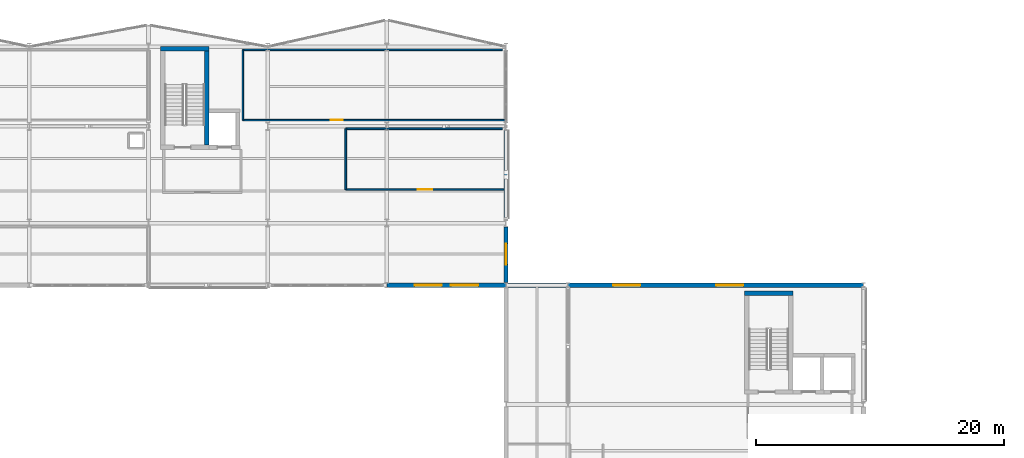
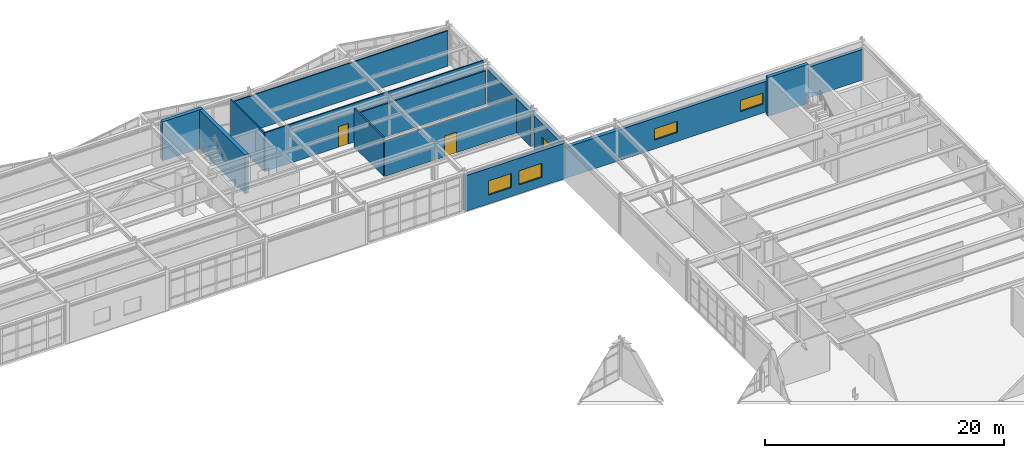
# One storey, part 87 of 99: 13 walls, 5 windows, 2 doors, 7 openings.
"""IFC4 building model written with IfcOpenShell, lengths in metres."""

from ifc_helpers import new_model, si_unit, direction, frame, frame_2d, origin, place, context, subcontext, project, spatial, rectangle, extrude, material, layer, layer_set, type_object, element, fill, save


model = new_model("IFC4")

# Units and contexts
model_context = context("Model", 3, precision=1e-05, world=origin(), true_north=direction((0.0, 1.0)))
body_context = subcontext(model_context, "Body", "Model", "MODEL_VIEW")
ifc_project = project(units=[si_unit("LENGTHUNIT", "METRE"), si_unit("AREAUNIT", "SQUARE_METRE"), si_unit("VOLUMEUNIT", "CUBIC_METRE"), si_unit("PLANEANGLEUNIT", "RADIAN"), si_unit("MASSUNIT", "GRAM", prefix="KILO")], contexts=[model_context])

# Site, building, storey
site_placement = place(None, origin())
site = spatial("IfcSite", under=ifc_project, at=site_placement, CompositionType="ELEMENT")
building_placement = place(site_placement, origin())
building = spatial("IfcBuilding", under=site, at=building_placement, Name="Nordkorset Police Headquarters", CompositionType="ELEMENT")
storey_placement = place(building_placement, frame((0.0, 0.0, 5.25)))
storey = spatial("IfcBuildingStorey", under=building, at=storey_placement, Name="L01", CompositionType="ELEMENT", Elevation=5.25)

# Wall, opening, door
ifc_material_1 = material(Name="Gypsum board", Category="gypsum")
ifc_layer_1 = layer(ifc_material_1, 0.139892578125, Name="Gypsum board")
ifc_layer_set_1 = layer_set([ifc_layer_1], Name="Gypsum board")
wall_type_1 = type_object("IfcWallType", Name="Wall_Acoust_140", PredefinedType="PARTITIONING", material=ifc_layer_set_1)
wall_1_placement = place(storey_placement, frame((73.5, 105.300048828125, 0.0), z_axis=(0.0, 0.0, 1.0), x_axis=(1.0, 0.0, 0.0)))
wall_1 = element("IfcWall", 1, at=wall_1_placement, inside=storey, type_object=wall_type_1, Name="Interior Partition Wall Case Review Conference Room L01", PredefinedType="PARTITIONING", context=body_context, shape_type="SweptSolid", body=[
    extrude(rectangle(XDim=12.72509765625, YDim=0.139892578125, at=frame_2d((6.362548828125, 0.0))), origin(), (0.0, 0.0, 1.0), 3.580078125),
])
opening_1_placement = place(wall_1_placement, frame((5.7724609375, 0.0, 0.0)))
opening_1 = element("IfcOpeningElement", 2, at=opening_1_placement, cuts=wall_1, Name="Opening DR-22", PredefinedType="OPENING", context=body_context, shape_type="SweptSolid", body=[
    extrude(rectangle(XDim=1.179931640625, YDim=2.10009765625, at=frame_2d((0.58984375, 1.050048828125))), frame((0.0, 0.080078125, 0.0), z_axis=(0.0, -1.0, 0.0), x_axis=(1.0, 0.0, 0.0)), (0.0, 0.0, 1.0), 0.159912109375),
])
ifc_material_2 = material(Name="Glulam GL30c", Category="wood")
door_type_1 = type_object("IfcDoorType", Name="Door_Meeting_1180x2100", OperationType="NOTDEFINED", PredefinedType="DOOR", material=ifc_material_2)
door_1_placement = place(opening_1_placement, frame((1.179931640625, 0.0, 0.0), z_axis=(0.0, 0.0, 1.0), x_axis=(-1.0, 0.0, 0.0)))
door_1 = element("IfcDoor", 3, at=door_1_placement, inside=storey, type_object=door_type_1, Name="Interior Door Case Review Conference Room L01", OperationType="SINGLE_SWING_LEFT", OverallHeight=2.10009765625, OverallWidth=1.179931640625, PredefinedType="DOOR", context=body_context, shape_type="SweptSolid", body=[
    extrude(rectangle(XDim=1.179931640625, YDim=2.10009765625, at=frame_2d((0.58984375, 1.050048828125))), frame((0.0, 0.02490234375, 0.0), z_axis=(0.0, -1.0, 0.0), x_axis=(1.0, 0.0, 0.0)), (0.0, 0.0, 1.0), 0.050048828125),
])
fill(opening_1, door_1)

# Walls
wall_2_placement = place(storey_placement, frame((86.10009765625, 110.199951171875, 0.0), z_axis=(0.0, 0.0, 1.0), x_axis=(-1.0, 0.0, 0.0)))
element("IfcWall", 4, at=wall_2_placement, inside=storey, type_object=wall_type_1, Name="Interior Partition Wall Case Review Conference Room L01", PredefinedType="PARTITIONING", context=body_context, shape_type="SweptSolid", body=[
    extrude(rectangle(XDim=12.60009765625, YDim=0.139892578125, at=frame_2d((6.300048828125, 0.0))), origin(), (0.0, 0.0, 1.0), 3.39990234375),
])
wall_3_placement = place(storey_placement, frame((73.5, 110.199951171875, 0.0), z_axis=(0.0, 0.0, 1.0), x_axis=(0.0, -1.0, 0.0)))
element("IfcWall", 5, at=wall_3_placement, inside=storey, type_object=wall_type_1, Name="Interior Partition Wall Case Review Conference Room L01", PredefinedType="PARTITIONING", context=body_context, shape_type="SweptSolid", body=[
    extrude(rectangle(XDim=4.89990234375, YDim=0.139892578125, at=frame_2d((2.449951171875, 0.0))), origin(), (0.0, 0.0, 1.0), 3.9599609375),
])
ifc_material_3 = material(Name="Concrete C35/45", Category="concrete")
ifc_layer_2 = layer(ifc_material_3, 0.35009765625, Name="Concrete C35/45")
ifc_layer_set_2 = layer_set([ifc_layer_2], Name="Concrete C35/45")
wall_type_2 = type_object("IfcWallType", Name="Wall_CoreShear_350", PredefinedType="SHEAR", material=ifc_layer_set_2)
wall_4_placement = place(storey_placement, frame((58.574951171875, 116.64990234375, 0.0), z_axis=(0.0, 0.0, 1.0), x_axis=(1.0, 0.0, 0.0)))
element("IfcWall", 6, at=wall_4_placement, inside=storey, type_object=wall_type_2, Name="Core K2 Stair Shaft North Shear Wall L01", PredefinedType="SHEAR", context=body_context, shape_type="SweptSolid", body=[
    extrude(rectangle(XDim=3.900146484375, YDim=0.35009765625, at=frame_2d((1.9501953125, 0.0))), origin(), (0.0, 0.0, 1.0), 3.9599609375),
])
wall_5_placement = place(storey_placement, frame((62.300048828125, 108.875, 0.0), z_axis=(0.0, 0.0, 1.0), x_axis=(0.0, 1.0, 0.0)))
element("IfcWall", 7, at=wall_5_placement, inside=storey, type_object=wall_type_2, Name="Core K2 Stair Shaft East Shear Wall L01", PredefinedType="SHEAR", context=body_context, shape_type="SweptSolid", body=[
    extrude(rectangle(XDim=7.60009765625, YDim=0.35009765625, at=frame_2d((3.800048828125, 0.0))), origin(), (0.0, 0.0, 1.0), 3.9599609375),
])
wall_6_placement = place(storey_placement, frame((105.625, 96.949951171875, 0.0), z_axis=(0.0, 0.0, 1.0), x_axis=(1.0, 0.0, 0.0)))
element("IfcWall", 8, at=wall_6_placement, inside=storey, type_object=wall_type_2, Name="Core K5 Stair Shaft North Shear Wall L01", PredefinedType="SHEAR", context=body_context, shape_type="SweptSolid", body=[
    extrude(rectangle(XDim=3.89990234375, YDim=0.35009765625, at=frame_2d((1.949951171875, 0.0))), origin(), (0.0, 0.0, 1.0), 3.9599609375),
])

# Wall, openings, windows
ifc_material_4 = material(Name="Precast concrete C40/50", Category="concrete")
ifc_layer_3 = layer(ifc_material_4, 0.360107421875, Name="Precast concrete C40/50")
ifc_layer_set_3 = layer_set([ifc_layer_3], Name="Precast concrete C40/50")
wall_type_3 = type_object("IfcWallType", Name="Wall_ExtPrecast_360", PredefinedType="SOLIDWALL", material=ifc_layer_set_3)
wall_7_placement = place(storey_placement, frame((76.808837890625, 97.60009765625, 0.0), z_axis=(0.0, 0.0, 1.0), x_axis=(1.0, 0.0, 0.0)))
wall_7 = element("IfcWall", 9, at=wall_7_placement, inside=storey, type_object=wall_type_3, Name="Exterior Insulated Precast Wall L01 V2S-5", PredefinedType="SOLIDWALL", context=body_context, shape_type="SweptSolid", body=[
    extrude(rectangle(XDim=9.58251953125, YDim=0.360107421875, at=frame_2d((4.791259765625, 0.0))), origin(), (0.0, 0.0, 1.0), 3.6298828125),
])
opening_2_placement = place(wall_7_placement, frame((2.224609375, 0.0, 0.89990234375)))
opening_2 = element("IfcOpeningElement", 10, at=opening_2_placement, cuts=wall_7, Name="Opening WN-12", PredefinedType="OPENING", context=body_context, shape_type="SweptSolid", body=[
    extrude(rectangle(XDim=2.199951171875, YDim=1.449951171875, at=frame_2d((1.10009765625, 0.72509765625))), frame((0.0, 0.18994140625, 0.0), z_axis=(0.0, -1.0, 0.0), x_axis=(1.0, 0.0, 0.0)), (0.0, 0.0, 1.0), 0.380126953125),
])
opening_3_placement = place(wall_7_placement, frame((5.157958984375, 0.0, 0.89990234375)))
opening_3 = element("IfcOpeningElement", 11, at=opening_3_placement, cuts=wall_7, Name="Opening WN-12", PredefinedType="OPENING", context=body_context, shape_type="SweptSolid", body=[
    extrude(rectangle(XDim=2.199951171875, YDim=1.449951171875, at=frame_2d((1.10009765625, 0.72509765625))), frame((0.0, 0.18994140625, 0.0), z_axis=(0.0, -1.0, 0.0), x_axis=(1.0, 0.0, 0.0)), (0.0, 0.0, 1.0), 0.380126953125),
])
ifc_material_5 = material(Name="Low-iron triple glazing", Category="glass")
window_type_1 = type_object("IfcWindowType", Name="Win_2200x1450", PartitioningType="SINGLE_PANEL", PredefinedType="WINDOW", material=ifc_material_5)
window_1_placement = place(opening_2_placement, origin())
window_1 = element("IfcWindow", 12, at=window_1_placement, inside=storey, type_object=window_type_1, Name="Triple-Glazed Exterior Window L01 V2S-5-1", OverallHeight=1.449951171875, OverallWidth=2.199951171875, PartitioningType="SINGLE_PANEL", PredefinedType="WINDOW", context=body_context, shape_type="SweptSolid", body=[
    extrude(rectangle(XDim=2.199951171875, YDim=1.449951171875, at=frame_2d((1.10009765625, 0.72509765625))), frame((0.0, 0.030029296875, 0.0), z_axis=(0.0, -1.0, 0.0), x_axis=(1.0, 0.0, 0.0)), (0.0, 0.0, 1.0), 0.06005859375),
])
fill(opening_2, window_1)
window_2_placement = place(opening_3_placement, origin())
window_2 = element("IfcWindow", 13, at=window_2_placement, inside=storey, type_object=window_type_1, Name="Triple-Glazed Exterior Window L01 V2S-5-2", OverallHeight=1.449951171875, OverallWidth=2.199951171875, PartitioningType="SINGLE_PANEL", PredefinedType="WINDOW", context=body_context, shape_type="SweptSolid", body=[
    extrude(rectangle(XDim=2.199951171875, YDim=1.449951171875, at=frame_2d((1.10009765625, 0.72509765625))), frame((0.0, 0.030029296875, 0.0), z_axis=(0.0, -1.0, 0.0), x_axis=(1.0, 0.0, 0.0)), (0.0, 0.0, 1.0), 0.06005859375),
])
fill(opening_3, window_2)

# Wall, opening, window
wall_8_placement = place(storey_placement, frame((86.39990234375, 97.802001953125, 0.0), z_axis=(0.0, 0.0, 1.0), x_axis=(0.0, 1.0, 0.0)))
wall_8 = element("IfcWall", 14, at=wall_8_placement, inside=storey, type_object=wall_type_3, Name="Exterior Insulated Precast Wall L01 V2E-0A", PredefinedType="SOLIDWALL", context=body_context, shape_type="SweptSolid", body=[
    extrude(rectangle(XDim=4.49609375, YDim=0.360107421875, at=frame_2d((2.248046875, 0.0))), origin(), (0.0, 0.0, 1.0), 3.5),
])
opening_4_placement = place(wall_8_placement, frame((1.447998046875, 0.0, 0.89990234375)))
opening_4 = element("IfcOpeningElement", 15, at=opening_4_placement, cuts=wall_8, Name="Opening WN-35", PredefinedType="OPENING", context=body_context, shape_type="SweptSolid", body=[
    extrude(rectangle(XDim=1.699951171875, YDim=1.300048828125, at=frame_2d((0.85009765625, 0.64990234375))), frame((0.0, 0.18994140625, 0.0), z_axis=(0.0, -1.0, 0.0), x_axis=(1.0, 0.0, 0.0)), (0.0, 0.0, 1.0), 0.380126953125),
])
ifc_material_6 = material(Name="Low-iron triple glazing", Category="glass")
window_type_2 = type_object("IfcWindowType", Name="Win_1700x1300", PartitioningType="SINGLE_PANEL", PredefinedType="WINDOW", material=ifc_material_6)
window_3_placement = place(opening_4_placement, origin())
window_3 = element("IfcWindow", 16, at=window_3_placement, inside=storey, type_object=window_type_2, Name="Triple-Glazed Exterior Window L01 V2E-0A-1", OverallHeight=1.300048828125, OverallWidth=1.699951171875, PartitioningType="SINGLE_PANEL", PredefinedType="WINDOW", context=body_context, shape_type="SweptSolid", body=[
    extrude(rectangle(XDim=1.699951171875, YDim=1.300048828125, at=frame_2d((0.85009765625, 0.64990234375))), frame((0.0, 0.030029296875, 0.0), z_axis=(0.0, -1.0, 0.0), x_axis=(1.0, 0.0, 0.0)), (0.0, 0.0, 1.0), 0.06005859375),
])
fill(opening_4, window_3)

# Wall
wall_9_placement = place(storey_placement, frame((86.39990234375, 102.902099609375, 0.0), z_axis=(0.0, 0.0, 1.0), x_axis=(0.0, 1.0, 0.0)))
element("IfcWall", 17, at=wall_9_placement, inside=storey, type_object=wall_type_3, Name="Exterior Insulated Precast Wall L01 V2E-0B", PredefinedType="SOLIDWALL", context=body_context, shape_type="SweptSolid", body=[
    extrude(rectangle(XDim=7.19580078125, YDim=0.360107421875, at=frame_2d((3.597900390625, 0.0))), origin(), (0.0, 0.0, 1.0), 3.5),
])

# Wall, openings, windows
wall_10_placement = place(storey_placement, frame((86.40869140625, 97.60009765625, 0.0), z_axis=(0.0, 0.0, 1.0), x_axis=(1.0, 0.0, 0.0)))
wall_10 = element("IfcWall", 18, at=wall_10_placement, inside=storey, type_object=wall_type_3, Name="Exterior Insulated Precast Wall L01 V5N-0", PredefinedType="SOLIDWALL", context=body_context, shape_type="SweptSolid", body=[
    extrude(rectangle(XDim=28.782470703125, YDim=0.360107421875, at=frame_2d((14.39111328125, 0.0))), origin(), (0.0, 0.0, 1.0), 3.139892578125),
])
opening_5_placement = place(wall_10_placement, frame((8.62451171875, 0.0, 0.89990234375)))
opening_5 = element("IfcOpeningElement", 19, at=opening_5_placement, cuts=wall_10, Name="Opening WN-07", PredefinedType="OPENING", context=body_context, shape_type="SweptSolid", body=[
    extrude(rectangle(XDim=2.199951171875, YDim=1.14990234375, at=frame_2d((1.10009765625, 0.574951171875))), frame((0.0, 0.18994140625, 0.0), z_axis=(0.0, -1.0, 0.0), x_axis=(1.0, 0.0, 0.0)), (0.0, 0.0, 1.0), 0.380126953125),
])
opening_6_placement = place(wall_10_placement, frame((16.907958984375, 0.0, 0.89990234375)))
opening_6 = element("IfcOpeningElement", 20, at=opening_6_placement, cuts=wall_10, Name="Opening WN-07", PredefinedType="OPENING", context=body_context, shape_type="SweptSolid", body=[
    extrude(rectangle(XDim=2.199951171875, YDim=1.14990234375, at=frame_2d((1.10009765625, 0.574951171875))), frame((0.0, 0.18994140625, 0.0), z_axis=(0.0, -1.0, 0.0), x_axis=(1.0, 0.0, 0.0)), (0.0, 0.0, 1.0), 0.380126953125),
])
ifc_material_7 = material(Name="Low-iron triple glazing", Category="glass")
window_type_3 = type_object("IfcWindowType", Name="Win_2200x1150", PartitioningType="SINGLE_PANEL", PredefinedType="WINDOW", material=ifc_material_7)
window_4_placement = place(opening_5_placement, origin())
window_4 = element("IfcWindow", 21, at=window_4_placement, inside=storey, type_object=window_type_3, Name="Triple-Glazed Exterior Window L01 V5N-0-1", OverallHeight=1.14990234375, OverallWidth=2.199951171875, PartitioningType="SINGLE_PANEL", PredefinedType="WINDOW", context=body_context, shape_type="SweptSolid", body=[
    extrude(rectangle(XDim=2.199951171875, YDim=1.14990234375, at=frame_2d((1.10009765625, 0.574951171875))), frame((0.0, 0.030029296875, 0.0), z_axis=(0.0, -1.0, 0.0), x_axis=(1.0, 0.0, 0.0)), (0.0, 0.0, 1.0), 0.06005859375),
])
fill(opening_5, window_4)
window_5_placement = place(opening_6_placement, origin())
window_5 = element("IfcWindow", 22, at=window_5_placement, inside=storey, type_object=window_type_3, Name="Triple-Glazed Exterior Window L01 V5N-0-2", OverallHeight=1.14990234375, OverallWidth=2.199951171875, PartitioningType="SINGLE_PANEL", PredefinedType="WINDOW", context=body_context, shape_type="SweptSolid", body=[
    extrude(rectangle(XDim=2.199951171875, YDim=1.14990234375, at=frame_2d((1.10009765625, 0.574951171875))), frame((0.0, 0.030029296875, 0.0), z_axis=(0.0, -1.0, 0.0), x_axis=(1.0, 0.0, 0.0)), (0.0, 0.0, 1.0), 0.06005859375),
])
fill(opening_6, window_5)

# Wall, opening, door
ifc_material_8 = material(Name="Gypsum board", Category="gypsum")
ifc_layer_4 = layer(ifc_material_8, 0.1201171875, Name="Gypsum board")
ifc_layer_set_4 = layer_set([ifc_layer_4], Name="Gypsum board")
wall_type_4 = type_object("IfcWallType", Name="Wall_Part_120", PredefinedType="PARTITIONING", material=ifc_layer_set_4)
wall_11_placement = place(storey_placement, frame((65.199951171875, 110.89990234375, 0.0), z_axis=(0.0, 0.0, 1.0), x_axis=(1.0, 0.0, 0.0)))
wall_11 = element("IfcWall", 23, at=wall_11_placement, inside=storey, type_object=wall_type_4, Name="Interior Partition Wall Traffic and Road Safety Investigation Unit", PredefinedType="PARTITIONING", context=body_context, shape_type="SweptSolid", body=[
    extrude(rectangle(XDim=21.114990234375, YDim=0.1201171875, at=frame_2d((10.5576171875, 0.0))), origin(), (0.0, 0.0, 1.0), 3.9599609375),
])
opening_7_placement = place(wall_11_placement, frame((7.0673828125, 0.0, 0.0)))
opening_7 = element("IfcOpeningElement", 24, at=opening_7_placement, cuts=wall_11, Name="Opening DR-18", PredefinedType="OPENING", context=body_context, shape_type="SweptSolid", body=[
    extrude(rectangle(XDim=0.97998046875, YDim=2.10009765625, at=frame_2d((0.489990234375, 1.050048828125))), frame((0.0, 0.070068359375, 0.0), z_axis=(0.0, -1.0, 0.0), x_axis=(1.0, 0.0, 0.0)), (0.0, 0.0, 1.0), 0.14013671875),
])
ifc_material_9 = material(Name="Glulam GL30c", Category="wood")
door_type_2 = type_object("IfcDoorType", Name="Door_Office_980x2100", OperationType="NOTDEFINED", PredefinedType="DOOR", material=ifc_material_9)
door_2_placement = place(opening_7_placement, frame((0.97998046875, 0.0, 0.0), z_axis=(0.0, 0.0, 1.0), x_axis=(-1.0, 0.0, 0.0)))
door_2 = element("IfcDoor", 25, at=door_2_placement, inside=storey, type_object=door_type_2, Name="Interior Door Traffic and Road Safety Investigation Unit", OperationType="SINGLE_SWING_LEFT", OverallHeight=2.10009765625, OverallWidth=0.97998046875, PredefinedType="DOOR", context=body_context, shape_type="SweptSolid", body=[
    extrude(rectangle(XDim=0.97998046875, YDim=2.10009765625, at=frame_2d((0.489990234375, 1.050048828125))), frame((0.0, 0.02490234375, 0.0), z_axis=(0.0, -1.0, 0.0), x_axis=(1.0, 0.0, 0.0)), (0.0, 0.0, 1.0), 0.050048828125),
])
fill(opening_7, door_2)

# Walls
wall_12_placement = place(storey_placement, frame((86.10009765625, 116.550048828125, 0.0), z_axis=(0.0, 0.0, 1.0), x_axis=(-1.0, 0.0, 0.0)))
element("IfcWall", 26, at=wall_12_placement, inside=storey, type_object=wall_type_4, Name="Interior Partition Wall Traffic and Road Safety Investigation Unit", PredefinedType="PARTITIONING", context=body_context, shape_type="SweptSolid", body=[
    extrude(rectangle(XDim=20.900146484375, YDim=0.1201171875, at=frame_2d((10.4501953125, 0.0))), origin(), (0.0, 0.0, 1.0), 3.6298828125),
])
wall_13_placement = place(storey_placement, frame((65.199951171875, 116.550048828125, 0.0), z_axis=(0.0, 0.0, 1.0), x_axis=(0.0, -1.0, 0.0)))
element("IfcWall", 27, at=wall_13_placement, inside=storey, type_object=wall_type_4, Name="Interior Partition Wall Traffic and Road Safety Investigation Unit", PredefinedType="PARTITIONING", context=body_context, shape_type="SweptSolid", body=[
    extrude(rectangle(XDim=5.650146484375, YDim=0.1201171875, at=frame_2d((2.8251953125, 0.0))), origin(), (0.0, 0.0, 1.0), 3.9599609375),
])

save(model, "model.ifc")
